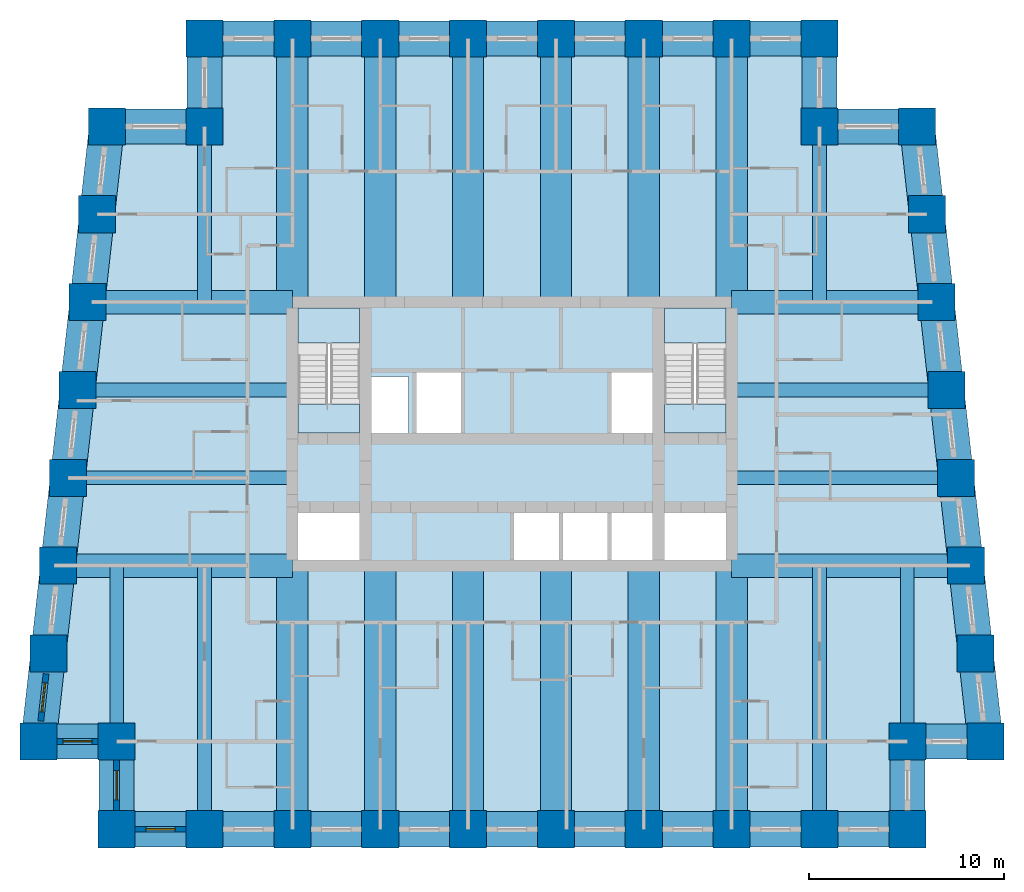
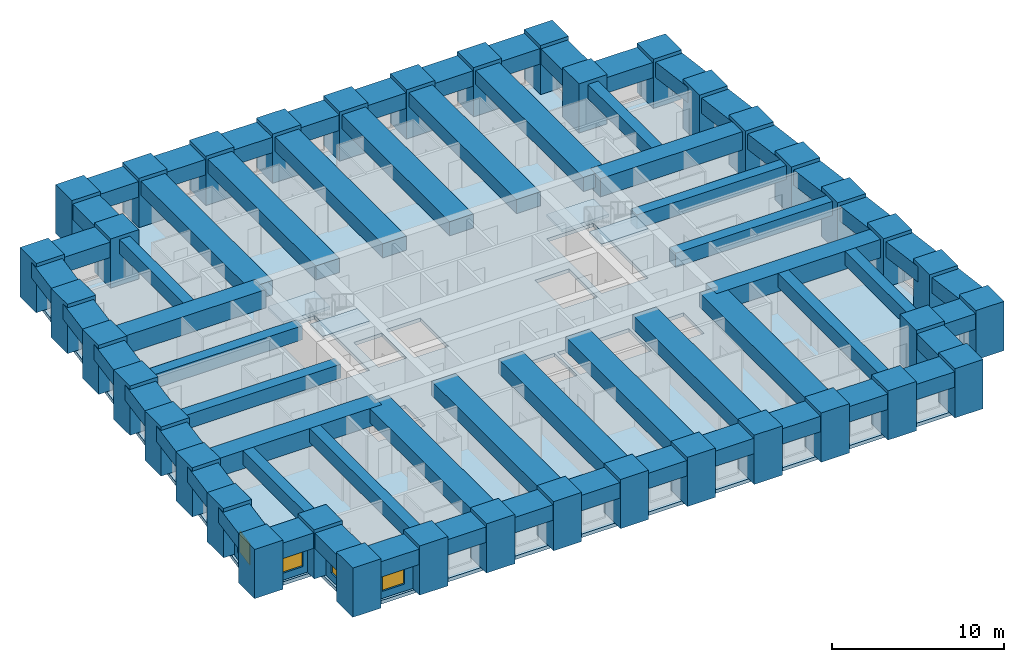
# One storey, part 1 of 8: 64 beams, 38 columns, 5 slabs, 4 walls, 4 windows, 4 openings, 2 elements without a shape of their own.
"""IFC4 building model written with IfcOpenShell, lengths in metres."""

from ifc_helpers import new_model, si_unit, direction, frame, frame_2d, origin, origin_2d, place, context, subcontext, project, spatial, polyline, rectangle, outline, extrude, material, layer, layer_set, material_profile, profile_set, type_object, element, fill, aggregate, save


model = new_model("IFC4")

# Units and contexts
model_context = context("Model", 3, precision=1e-05, world=origin(), true_north=direction((0.0, 1.0)))
body_context = subcontext(model_context, "Body", "Model", "MODEL_VIEW")
ifc_project = project(units=[si_unit("LENGTHUNIT", "METRE"), si_unit("AREAUNIT", "SQUARE_METRE"), si_unit("VOLUMEUNIT", "CUBIC_METRE"), si_unit("PLANEANGLEUNIT", "RADIAN"), si_unit("MASSUNIT", "GRAM", prefix="KILO")], contexts=[model_context])

# Site, building, storey
site_placement = place(None, origin())
site = spatial("IfcSite", under=ifc_project, at=site_placement, CompositionType="ELEMENT")
building_placement = place(site_placement, origin())
building = spatial("IfcBuilding", under=site, at=building_placement, Name="Kilele Tower Hotel", CompositionType="ELEMENT")
storey_placement = place(building_placement, frame((0.0, 0.0, 89.89990234375)))
storey = spatial("IfcBuildingStorey", under=building, at=storey_placement, Name="L22", CompositionType="ELEMENT", Elevation=89.89990234375)

# Columns
ifc_material_1 = material(Name="Concrete C70/85", Category="concrete")
ifc_material_profile_1 = material_profile(ifc_material_1, rectangle(XDim=1.89990234375, YDim=1.89990234375, at=origin_2d()))
ifc_profile_set_1 = profile_set([ifc_material_profile_1], Name="Concrete C70/85")
column_type = type_object("IfcColumnType", Name="Tube column RC 1900x1900 C70/85", PredefinedType="COLUMN", material=ifc_profile_set_1)
for number, where, z_axis, x_axis, name in (
    (1, (0.5, 4.5, 0.0), (0.0, 0.0, 1.0), (1.0, 0.0, 0.0), "Column TC2 L22"),
    (2, (4.5, 4.5, 0.0), (0.0, 0.0, 1.0), (1.0, 0.0, 0.0), "Column TC2 L22"),
    (3, (4.5, 0.0, 0.0), (0.0, 0.0, 1.0), (1.0, 0.0, 0.0), "Column TC2 L22"),
    (4, (9.0, 0.0, 0.0), (0.0, 0.0, 1.0), (1.0, 0.0, 0.0), "Column TC2 L22"),
    (5, (13.5, 0.0, 0.0), (0.0, 0.0, 1.0), (1.0, 0.0, 0.0), "Column TC2 L22"),
    (6, (18.0, 0.0, 0.0), (0.0, 0.0, 1.0), (1.0, 0.0, 0.0), "Column TC2 L22"),
    (7, (22.5, 0.0, 0.0), (0.0, 0.0, 1.0), (1.0, 0.0, 0.0), "Column TC2 L22"),
    (8, (27.0, 0.0, 0.0), (0.0, 0.0, 1.0), (1.0, 0.0, 0.0), "Column TC2 L22"),
    (9, (31.5, 0.0, 0.0), (0.0, 0.0, 1.0), (1.0, 0.0, 0.0), "Column TC2 L22"),
    (10, (36.0, 0.0, 0.0), (0.0, 0.0, 1.0), (1.0, 0.0, 0.0), "Column TC2 L22"),
    (11, (40.5, 0.0, 0.0), (0.0, 0.0, 1.0), (1.0, 0.0, 0.0), "Column TC2 L22"),
    (12, (45.0, 0.0, 0.0), (0.0, 0.0, 1.0), (1.0, 0.0, 0.0), "Column TC2 L22"),
    (13, (45.0, 4.5, 0.0), (0.0, 0.0, 1.0), (1.0, 0.0, 0.0), "Column TC2 L22"),
    (14, (49.0, 4.5, 0.0), (0.0, 0.0, 1.0), (1.0, 0.0, 0.0), "Column TC2 L22"),
    (15, (48.5, 9.0, 0.0), (0.0, 0.0, 1.0), (1.0, 0.0, 0.0), "Column TC2 L22"),
    (16, (48.0, 13.5, 0.0), (0.0, 0.0, 1.0), (1.0, 0.0, 0.0), "Column TC2 L22"),
    (17, (47.5, 18.0, 0.0), (0.0, 0.0, 1.0), (1.0, 0.0, 0.0), "Column TC2 L22"),
    (18, (47.0, 22.5, 0.0), (0.0, 0.0, 1.0), (1.0, 0.0, 0.0), "Column TC2 L22"),
    (19, (46.5, 27.0, 0.0), (0.0, 0.0, 1.0), (1.0, 0.0, 0.0), "Column TC2 L22"),
    (20, (46.0, 31.5, 0.0), (0.0, 0.0, 1.0), (1.0, 0.0, 0.0), "Column TC2 L22"),
    (21, (45.5, 36.0, 0.0), (0.0, 0.0, 1.0), (1.0, 0.0, 0.0), "Column TC2 L22"),
    (22, (40.5, 36.0, 0.0), (0.0, 0.0, 1.0), (1.0, 0.0, 0.0), "Column TC2 L22"),
    (23, (40.5, 40.5, 0.0), (0.0, 0.0, 1.0), (1.0, 0.0, 0.0), "Column TC2 L22"),
    (24, (36.0, 40.5, 0.0), (0.0, 0.0, 1.0), (1.0, 0.0, 0.0), "Column TC2 L22"),
    (25, (31.5, 40.5, 0.0), (0.0, 0.0, 1.0), (1.0, 0.0, 0.0), "Column TC2 L22"),
    (26, (27.0, 40.5, 0.0), (0.0, 0.0, 1.0), (1.0, 0.0, 0.0), "Column TC2 L22"),
    (27, (22.5, 40.5, 0.0), (0.0, 0.0, 1.0), (1.0, 0.0, 0.0), "Column TC2 L22"),
    (28, (18.0, 40.5, 0.0), (0.0, 0.0, 1.0), (1.0, 0.0, 0.0), "Column TC2 L22"),
    (29, (13.5, 40.5, 0.0), (0.0, 0.0, 1.0), (1.0, 0.0, 0.0), "Column TC2 L22"),
    (30, (9.0, 40.5, 0.0), (0.0, 0.0, 1.0), (1.0, 0.0, 0.0), "Column TC2 L22"),
    (31, (9.0, 36.0, 0.0), (0.0, 0.0, 1.0), (1.0, 0.0, 0.0), "Column TC2 L22"),
    (32, (4.0, 36.0, 0.0), (0.0, 0.0, 1.0), (1.0, 0.0, 0.0), "Column TC2 L22"),
    (33, (3.5, 31.5, 0.0), (0.0, 0.0, 1.0), (1.0, 0.0, 0.0), "Column TC2 L22"),
    (34, (3.0, 27.0, 0.0), (0.0, 0.0, 1.0), (1.0, 0.0, 0.0), "Column TC2 L22"),
    (35, (2.5, 22.5, 0.0), (0.0, 0.0, 1.0), (1.0, 0.0, 0.0), "Column TC2 L22"),
    (36, (2.0, 18.0, 0.0), (0.0, 0.0, 1.0), (1.0, 0.0, 0.0), "Column TC2 L22"),
    (37, (1.5, 13.5, 0.0), (0.0, 0.0, 1.0), (1.0, 0.0, 0.0), "Column TC2 L22"),
    (38, (1.0, 9.0, 0.0), (0.0, 0.0, 1.0), (1.0, 0.0, 0.0), "Column TC2 L22"),
):
    element("IfcColumn", number, at=place(storey_placement, frame(where, z_axis=z_axis, x_axis=x_axis)), inside=storey, type_object=column_type, Name=name, PredefinedType="COLUMN", context=body_context, shape_type="SweptSolid", body=[
        extrude(rectangle(XDim=1.89990234375, YDim=1.89990234375, at=origin_2d()), origin(), (0.0, 0.0, 1.0), 3.5),
    ])

# Beams
ifc_material_2 = material(Name="Concrete C60/75", Category="concrete")
ifc_material_profile_2 = material_profile(ifc_material_2, rectangle(XDim=1.60009765625, YDim=1.0, at=origin_2d()))
ifc_profile_set_2 = profile_set([ifc_material_profile_2], Name="Concrete C60/75")
beam_type_1 = type_object("IfcBeamType", Name="Beam RC 1600x1000 C60/75", PredefinedType="BEAM", material=ifc_profile_set_2)
for number, where, z_axis, x_axis, name in (
    (39, (13.5, 0.0, 2.75), (0.0, 1.0, 0.0), (-1.0, 0.0, 0.0), "Beam BC1 level L23"),
    (40, (18.0, 0.0, 2.75), (0.0, 1.0, 0.0), (-1.0, 0.0, 0.0), "Beam BC1 level L23"),
    (41, (22.5, 0.0, 2.75), (0.0, 1.0, 0.0), (-1.0, 0.0, 0.0), "Beam BC1 level L23"),
    (42, (27.0, 0.0, 2.75), (0.0, 1.0, 0.0), (-1.0, 0.0, 0.0), "Beam BC1 level L23"),
    (43, (31.5, 0.0, 2.75), (0.0, 1.0, 0.0), (-1.0, 0.0, 0.0), "Beam BC1 level L23"),
    (44, (36.0, 0.0, 2.75), (0.0, 1.0, 0.0), (-1.0, 0.0, 0.0), "Beam BC1 level L23"),
    (45, (36.0, 40.5, 2.75), (0.0, -1.0, 0.0), (1.0, 0.0, 0.0), "Beam BC1 level L23"),
    (46, (31.5, 40.5, 2.75), (0.0, -1.0, 0.0), (1.0, 0.0, 0.0), "Beam BC1 level L23"),
    (47, (27.0, 40.5, 2.75), (0.0, -1.0, 0.0), (1.0, 0.0, 0.0), "Beam BC1 level L23"),
    (48, (22.5, 40.5, 2.75), (0.0, -1.0, 0.0), (1.0, 0.0, 0.0), "Beam BC1 level L23"),
    (49, (18.0, 40.5, 2.75), (0.0, -1.0, 0.0), (1.0, 0.0, 0.0), "Beam BC1 level L23"),
    (50, (13.5, 40.5, 2.75), (0.0, -1.0, 0.0), (1.0, 0.0, 0.0), "Beam BC1 level L23"),
):
    element("IfcBeam", number, at=place(storey_placement, frame(where, z_axis=z_axis, x_axis=x_axis)), inside=storey, type_object=beam_type_1, Name=name, PredefinedType="BEAM", context=body_context, shape_type="SweptSolid", body=[
        extrude(rectangle(XDim=1.60009765625, YDim=1.0, at=origin_2d()), origin(), (0.0, 0.0, 1.0), 13.5),
    ])
ifc_material_3 = material(Name="Concrete C60/75", Category="concrete")
ifc_material_profile_3 = material_profile(ifc_material_3, rectangle(XDim=0.699951171875, YDim=1.0, at=origin_2d()))
ifc_profile_set_3 = profile_set([ifc_material_profile_3], Name="Concrete C60/75")
beam_type_2 = type_object("IfcBeamType", Name="Beam RC 700x1000 C60/75", PredefinedType="BEAM", material=ifc_profile_set_3)
for number, where, z_axis, x_axis, name in (
    (51, (9.0, 0.0, 2.75), (0.0, 1.0, 0.0), (-1.0, 0.0, 0.0), "Beam B4 level L23"),
    (52, (40.5, 0.0, 2.75), (0.0, 1.0, 0.0), (-1.0, 0.0, 0.0), "Beam B4 level L23"),
):
    element("IfcBeam", number, at=place(storey_placement, frame(where, z_axis=z_axis, x_axis=x_axis)), inside=storey, type_object=beam_type_2, Name=name, PredefinedType="BEAM", context=body_context, shape_type="SweptSolid", body=[
        extrude(rectangle(XDim=0.699951171875, YDim=1.0, at=origin_2d()), origin(), (0.0, 0.0, 1.0), 13.5),
    ])
ifc_material_4 = material(Name="Concrete C60/75", Category="concrete")
ifc_material_profile_4 = material_profile(ifc_material_4, rectangle(XDim=0.699951171875, YDim=1.0, at=origin_2d()))
ifc_profile_set_4 = profile_set([ifc_material_profile_4], Name="Concrete C60/75")
beam_type_3 = type_object("IfcBeamType", Name="Beam RC 700x1000 C60/75 mid span", PredefinedType="BEAM", material=ifc_profile_set_4)
for number, where, z_axis, x_axis, name in (
    (53, (4.5, 4.5, 2.75), (0.0, 1.0, 0.0), (-1.0, 0.0, 0.0), "Beam B5 level L23"),
    (54, (45.0, 4.5, 2.75), (0.0, 1.0, 0.0), (-1.0, 0.0, 0.0), "Beam B5 level L23"),
):
    element("IfcBeam", number, at=place(storey_placement, frame(where, z_axis=z_axis, x_axis=x_axis)), inside=storey, type_object=beam_type_3, Name=name, PredefinedType="BEAM", context=body_context, shape_type="SweptSolid", body=[
        extrude(rectangle(XDim=0.699951171875, YDim=1.0, at=origin_2d()), origin(), (0.0, 0.0, 1.0), 9.0),
    ])
beam_1_placement = place(storey_placement, frame((47.5, 18.0, 2.75), z_axis=(-1.0, 0.0, 0.0), x_axis=(0.0, -1.0, 0.0)))
element("IfcBeam", 55, at=beam_1_placement, inside=storey, type_object=beam_type_3, Name="Beam B5 level L23", PredefinedType="BEAM", context=body_context, shape_type="SweptSolid", body=[
    extrude(rectangle(XDim=0.699951171875, YDim=1.0, at=origin_2d()), origin(), (0.0, 0.0, 1.0), 11.5),
])
beam_2_placement = place(storey_placement, frame((47.0, 22.5, 2.75), z_axis=(-1.0, 0.0, 0.0), x_axis=(0.0, -1.0, 0.0)))
element("IfcBeam", 56, at=beam_2_placement, inside=storey, type_object=beam_type_3, Name="Beam B5 level L23", PredefinedType="BEAM", context=body_context, shape_type="SweptSolid", body=[
    extrude(rectangle(XDim=0.699951171875, YDim=1.0, at=origin_2d()), origin(), (0.0, 0.0, 1.0), 11.0),
])
for number, where, z_axis, x_axis, name in (
    (57, (40.5, 36.0, 2.75), (0.0, -1.0, 0.0), (1.0, 0.0, 0.0), "Beam B5 level L23"),
    (58, (9.0, 36.0, 2.75), (0.0, -1.0, 0.0), (1.0, 0.0, 0.0), "Beam B5 level L23"),
):
    element("IfcBeam", number, at=place(storey_placement, frame(where, z_axis=z_axis, x_axis=x_axis)), inside=storey, type_object=beam_type_3, Name=name, PredefinedType="BEAM", context=body_context, shape_type="SweptSolid", body=[
        extrude(rectangle(XDim=0.699951171875, YDim=1.0, at=origin_2d()), origin(), (0.0, 0.0, 1.0), 9.0),
    ])
beam_3_placement = place(storey_placement, frame((2.5, 22.5, 2.75), z_axis=(1.0, 0.0, 0.0), x_axis=(0.0, 1.0, 0.0)))
element("IfcBeam", 59, at=beam_3_placement, inside=storey, type_object=beam_type_3, Name="Beam B5 level L23", PredefinedType="BEAM", context=body_context, shape_type="SweptSolid", body=[
    extrude(rectangle(XDim=0.699951171875, YDim=1.0, at=origin_2d()), origin(), (0.0, 0.0, 1.0), 11.0),
])
beam_4_placement = place(storey_placement, frame((2.0, 18.0, 2.75), z_axis=(1.0, 0.0, 0.0), x_axis=(0.0, 1.0, 0.0)))
element("IfcBeam", 60, at=beam_4_placement, inside=storey, type_object=beam_type_3, Name="Beam B5 level L23", PredefinedType="BEAM", context=body_context, shape_type="SweptSolid", body=[
    extrude(rectangle(XDim=0.699951171875, YDim=1.0, at=origin_2d()), origin(), (0.0, 0.0, 1.0), 11.5),
])
ifc_material_5 = material(Name="Concrete C60/75", Category="concrete")
ifc_material_profile_5 = material_profile(ifc_material_5, rectangle(XDim=1.199951171875, YDim=1.300048828125, at=origin_2d()))
ifc_profile_set_5 = profile_set([ifc_material_profile_5], Name="Concrete C60/75")
beam_type_4 = type_object("IfcBeamType", Name="Girder RC 1200x1300 C60/75", PredefinedType="BEAM", material=ifc_profile_set_5)
for number, where, z_axis, x_axis, name in (
    (61, (48.0, 13.5, 2.60009765625), (-1.0, 0.0, 0.0), (0.0, -1.0, 0.0), "Girder G1 level L23"),
    (62, (1.5, 13.5, 2.60009765625), (1.0, 0.0, 0.0), (0.0, 1.0, 0.0), "Girder G1 level L23"),
):
    element("IfcBeam", number, at=place(storey_placement, frame(where, z_axis=z_axis, x_axis=x_axis)), inside=storey, type_object=beam_type_4, Name=name, PredefinedType="BEAM", context=body_context, shape_type="SweptSolid", body=[
        extrude(rectangle(XDim=1.199951171875, YDim=1.300048828125, at=origin_2d()), origin(), (0.0, 0.0, 1.0), 12.0),
    ])
ifc_material_6 = material(Name="Concrete C60/75", Category="concrete")
ifc_material_profile_6 = material_profile(ifc_material_6, rectangle(XDim=1.199951171875, YDim=1.300048828125, at=origin_2d()))
ifc_profile_set_6 = profile_set([ifc_material_profile_6], Name="Concrete C60/75")
beam_type_5 = type_object("IfcBeamType", Name="Girder RC 1200x1300 C60/75 mid span", PredefinedType="BEAM", material=ifc_profile_set_6)
for number, where, z_axis, x_axis, name in (
    (63, (46.5, 27.0, 2.60009765625), (-1.0, 0.0, 0.0), (0.0, -1.0, 0.0), "Girder G3 level L23"),
    (64, (3.0, 27.0, 2.60009765625), (1.0, 0.0, 0.0), (0.0, 1.0, 0.0), "Girder G3 level L23"),
):
    element("IfcBeam", number, at=place(storey_placement, frame(where, z_axis=z_axis, x_axis=x_axis)), inside=storey, type_object=beam_type_5, Name=name, PredefinedType="BEAM", context=body_context, shape_type="SweptSolid", body=[
        extrude(rectangle(XDim=1.199951171875, YDim=1.300048828125, at=origin_2d()), origin(), (0.0, 0.0, 1.0), 10.5),
    ])
ifc_material_7 = material(Name="Concrete C60/75", Category="concrete")
ifc_material_profile_7 = material_profile(ifc_material_7, rectangle(XDim=1.800048828125, YDim=1.10009765625, at=origin_2d()))
ifc_profile_set_7 = profile_set([ifc_material_profile_7], Name="Concrete C60/75")
beam_type_6 = type_object("IfcBeamType", Name="Spandrel RC 1800x1100 C60/75", PredefinedType="SPANDREL", material=ifc_profile_set_7)
beam_5_placement = place(storey_placement, frame((0.5, 4.5, 2.7001953125), z_axis=(1.0, 0.0, 0.0), x_axis=(0.0, 1.0, 0.0)))
element("IfcBeam", 65, at=beam_5_placement, inside=storey, type_object=beam_type_6, Name="Spandrel SP4 level L23", PredefinedType="SPANDREL", context=body_context, shape_type="SweptSolid", body=[
    extrude(rectangle(XDim=1.800048828125, YDim=1.10009765625, at=origin_2d()), origin(), (0.0, 0.0, 1.0), 4.0),
])
for number, where, z_axis, x_axis, name in (
    (66, (4.5, 4.5, 2.7001953125), (0.0, -1.0, 0.0), (1.0, 0.0, 0.0), "Spandrel SP4 level L23"),
    (67, (4.5, 0.0, 2.7001953125), (1.0, 0.0, 0.0), (0.0, 1.0, 0.0), "Spandrel SP4 level L23"),
    (68, (9.0, 0.0, 2.7001953125), (1.0, 0.0, 0.0), (0.0, 1.0, 0.0), "Spandrel SP4 level L23"),
    (69, (13.5, 0.0, 2.7001953125), (1.0, 0.0, 0.0), (0.0, 1.0, 0.0), "Spandrel SP4 level L23"),
    (70, (18.0, 0.0, 2.7001953125), (1.0, 0.0, 0.0), (0.0, 1.0, 0.0), "Spandrel SP4 level L23"),
    (71, (22.5, 0.0, 2.7001953125), (1.0, 0.0, 0.0), (0.0, 1.0, 0.0), "Spandrel SP4 level L23"),
    (72, (27.0, 0.0, 2.7001953125), (1.0, 0.0, 0.0), (0.0, 1.0, 0.0), "Spandrel SP4 level L23"),
    (73, (31.5, 0.0, 2.7001953125), (1.0, 0.0, 0.0), (0.0, 1.0, 0.0), "Spandrel SP4 level L23"),
    (74, (36.0, 0.0, 2.7001953125), (1.0, 0.0, 0.0), (0.0, 1.0, 0.0), "Spandrel SP4 level L23"),
    (75, (40.5, 0.0, 2.7001953125), (1.0, 0.0, 0.0), (0.0, 1.0, 0.0), "Spandrel SP4 level L23"),
    (76, (45.0, 0.0, 2.7001953125), (0.0, 1.0, 0.0), (-1.0, 0.0, 0.0), "Spandrel SP4 level L23"),
):
    element("IfcBeam", number, at=place(storey_placement, frame(where, z_axis=z_axis, x_axis=x_axis)), inside=storey, type_object=beam_type_6, Name=name, PredefinedType="SPANDREL", context=body_context, shape_type="SweptSolid", body=[
        extrude(rectangle(XDim=1.800048828125, YDim=1.10009765625, at=origin_2d()), origin(), (0.0, 0.0, 1.0), 4.5),
    ])
beam_6_placement = place(storey_placement, frame((45.0, 4.5, 2.7001953125), z_axis=(1.0, 0.0, 0.0), x_axis=(0.0, 1.0, 0.0)))
element("IfcBeam", 77, at=beam_6_placement, inside=storey, type_object=beam_type_6, Name="Spandrel SP4 level L23", PredefinedType="SPANDREL", context=body_context, shape_type="SweptSolid", body=[
    extrude(rectangle(XDim=1.800048828125, YDim=1.10009765625, at=origin_2d()), origin(), (0.0, 0.0, 1.0), 4.0),
])
for number, where, z_axis, x_axis, name in (
    (78, (49.0, 4.5, 2.7001953125), (-0.110431526075, 0.993883734674, 0.0), (-0.993883734674, -0.110431526075, 0.0), "Spandrel SP4 level L23"),
    (79, (48.5, 9.0, 2.7001953125), (-0.110431526075, 0.993883734674, 0.0), (-0.993883734674, -0.110431526075, 0.0), "Spandrel SP4 level L23"),
    (80, (48.0, 13.5, 2.7001953125), (-0.110431526075, 0.993883734674, 0.0), (-0.993883734674, -0.110431526075, 0.0), "Spandrel SP4 level L23"),
    (81, (47.5, 18.0, 2.7001953125), (-0.110431526075, 0.993883734674, 0.0), (-0.993883734674, -0.110431526075, 0.0), "Spandrel SP4 level L23"),
    (82, (47.0, 22.5, 2.7001953125), (-0.110431526075, 0.993883734674, 0.0), (-0.993883734674, -0.110431526075, 0.0), "Spandrel SP4 level L23"),
    (83, (46.5, 27.0, 2.7001953125), (-0.110431526075, 0.993883734674, 0.0), (-0.993883734674, -0.110431526075, 0.0), "Spandrel SP4 level L23"),
    (84, (46.0, 31.5, 2.7001953125), (-0.110431526075, 0.993883734674, 0.0), (-0.993883734674, -0.110431526075, 0.0), "Spandrel SP4 level L23"),
):
    element("IfcBeam", number, at=place(storey_placement, frame(where, z_axis=z_axis, x_axis=x_axis)), inside=storey, type_object=beam_type_6, Name=name, PredefinedType="SPANDREL", context=body_context, shape_type="SweptSolid", body=[
        extrude(rectangle(XDim=1.800048828125, YDim=1.10009765625, at=origin_2d()), origin(), (0.0, 0.0, 1.0), 4.527587890625),
    ])
beam_7_placement = place(storey_placement, frame((45.5, 36.0, 2.7001953125), z_axis=(-1.0, 0.0, 0.0), x_axis=(0.0, -1.0, 0.0)))
element("IfcBeam", 85, at=beam_7_placement, inside=storey, type_object=beam_type_6, Name="Spandrel SP4 level L23", PredefinedType="SPANDREL", context=body_context, shape_type="SweptSolid", body=[
    extrude(rectangle(XDim=1.800048828125, YDim=1.10009765625, at=origin_2d()), origin(), (0.0, 0.0, 1.0), 5.0),
])
for number, where, z_axis, x_axis, name in (
    (86, (40.5, 36.0, 2.7001953125), (0.0, 1.0, 0.0), (-1.0, 0.0, 0.0), "Spandrel SP4 level L23"),
    (87, (40.5, 40.5, 2.7001953125), (-1.0, 0.0, 0.0), (0.0, -1.0, 0.0), "Spandrel SP4 level L23"),
    (88, (36.0, 40.5, 2.7001953125), (-1.0, 0.0, 0.0), (0.0, -1.0, 0.0), "Spandrel SP4 level L23"),
    (89, (31.5, 40.5, 2.7001953125), (-1.0, 0.0, 0.0), (0.0, -1.0, 0.0), "Spandrel SP4 level L23"),
    (90, (27.0, 40.5, 2.7001953125), (-1.0, 0.0, 0.0), (0.0, -1.0, 0.0), "Spandrel SP4 level L23"),
    (91, (22.5, 40.5, 2.7001953125), (-1.0, 0.0, 0.0), (0.0, -1.0, 0.0), "Spandrel SP4 level L23"),
    (92, (18.0, 40.5, 2.7001953125), (-1.0, 0.0, 0.0), (0.0, -1.0, 0.0), "Spandrel SP4 level L23"),
    (93, (13.5, 40.5, 2.7001953125), (-1.0, 0.0, 0.0), (0.0, -1.0, 0.0), "Spandrel SP4 level L23"),
    (94, (9.0, 40.5, 2.7001953125), (0.0, -1.0, 0.0), (1.0, 0.0, 0.0), "Spandrel SP4 level L23"),
):
    element("IfcBeam", number, at=place(storey_placement, frame(where, z_axis=z_axis, x_axis=x_axis)), inside=storey, type_object=beam_type_6, Name=name, PredefinedType="SPANDREL", context=body_context, shape_type="SweptSolid", body=[
        extrude(rectangle(XDim=1.800048828125, YDim=1.10009765625, at=origin_2d()), origin(), (0.0, 0.0, 1.0), 4.5),
    ])
beam_8_placement = place(storey_placement, frame((9.0, 36.0, 2.7001953125), z_axis=(-1.0, 0.0, 0.0), x_axis=(0.0, -1.0, 0.0)))
element("IfcBeam", 95, at=beam_8_placement, inside=storey, type_object=beam_type_6, Name="Spandrel SP4 level L23", PredefinedType="SPANDREL", context=body_context, shape_type="SweptSolid", body=[
    extrude(rectangle(XDim=1.800048828125, YDim=1.10009765625, at=origin_2d()), origin(), (0.0, 0.0, 1.0), 5.0),
])
for number, where, z_axis, x_axis, name in (
    (96, (4.0, 36.0, 2.7001953125), (-0.110431526075, -0.993883734674, 0.0), (0.993883734674, -0.110431526075, 0.0), "Spandrel SP4 level L23"),
    (97, (3.5, 31.5, 2.7001953125), (-0.110431526075, -0.993883734674, 0.0), (0.993883734674, -0.110431526075, 0.0), "Spandrel SP4 level L23"),
    (98, (3.0, 27.0, 2.7001953125), (-0.110431526075, -0.993883734674, 0.0), (0.993883734674, -0.110431526075, 0.0), "Spandrel SP4 level L23"),
    (99, (2.5, 22.5, 2.7001953125), (-0.110431526075, -0.993883734674, 0.0), (0.993883734674, -0.110431526075, 0.0), "Spandrel SP4 level L23"),
    (100, (2.0, 18.0, 2.7001953125), (-0.110431526075, -0.993883734674, 0.0), (0.993883734674, -0.110431526075, 0.0), "Spandrel SP4 level L23"),
    (101, (1.5, 13.5, 2.7001953125), (-0.110431526075, -0.993883734674, 0.0), (0.993883734674, -0.110431526075, 0.0), "Spandrel SP4 level L23"),
    (102, (1.0, 9.0, 2.7001953125), (-0.110431526075, -0.993883734674, 0.0), (0.993883734674, -0.110431526075, 0.0), "Spandrel SP4 level L23"),
):
    element("IfcBeam", number, at=place(storey_placement, frame(where, z_axis=z_axis, x_axis=x_axis)), inside=storey, type_object=beam_type_6, Name=name, PredefinedType="SPANDREL", context=body_context, shape_type="SweptSolid", body=[
        extrude(rectangle(XDim=1.800048828125, YDim=1.10009765625, at=origin_2d()), origin(), (0.0, 0.0, 1.0), 4.527587890625),
    ])

# Slab
ifc_material_8 = material(Name="Concrete C60/75", Category="concrete")
ifc_layer_1 = layer(ifc_material_8, 0.25)
ifc_layer_set_1 = layer_set([ifc_layer_1], Name="Concrete C60/75")
slab_type_1 = type_object("IfcSlabType", Name="Floor slab 250", PredefinedType="FLOOR", material=ifc_layer_set_1)
slab_1_placement = place(storey_placement, frame((0.0, 0.0, -0.25)))
element("IfcSlab", 103, at=slab_1_placement, inside=storey, type_object=slab_type_1, Name="Floor slab L22", PredefinedType="FLOOR", context=body_context, shape_type="SweptSolid", body=[
    extrude(outline(polyline([(8.699951171875, 36.300048828125), (8.699951171875, 40.800048828125), (40.800048828125, 40.800048828125), (40.800048828125, 36.300048828125), (45.7685546875, 36.300048828125), (49.335205078125, 4.199951171875), (45.300048828125, 4.199951171875), (45.300048828125, -0.300048828125), (4.199951171875, -0.300048828125), (4.199951171875, 4.199951171875), (0.164794921875, 4.199951171875), (3.7314453125, 36.300048828125), (8.699951171875, 36.300048828125)]), holes=[polyline([(16.949951171875, 16.199951171875), (13.800048828125, 16.199951171875), (13.800048828125, 13.800048828125), (16.949951171875, 13.800048828125), (16.949951171875, 16.199951171875)]), polyline([(35.699951171875, 16.199951171875), (32.550048828125, 16.199951171875), (32.550048828125, 13.800048828125), (35.699951171875, 13.800048828125), (35.699951171875, 16.199951171875)]), polyline([(27.14990234375, 16.39990234375), (24.85009765625, 16.39990234375), (24.85009765625, 13.800048828125), (27.14990234375, 13.800048828125), (27.14990234375, 16.39990234375)]), polyline([(29.64990234375, 13.800048828125), (29.64990234375, 16.39990234375), (27.35009765625, 16.39990234375), (27.35009765625, 13.800048828125), (29.64990234375, 13.800048828125)]), polyline([(32.14990234375, 13.800048828125), (32.14990234375, 16.39990234375), (29.85009765625, 16.39990234375), (29.85009765625, 13.800048828125), (32.14990234375, 13.800048828125)]), polyline([(19.449951171875, 23.199951171875), (17.550048828125, 23.199951171875), (17.550048828125, 20.300048828125), (19.449951171875, 20.300048828125), (19.449951171875, 23.199951171875)]), polyline([(22.14990234375, 23.39990234375), (19.85009765625, 23.39990234375), (19.85009765625, 20.10009765625), (22.14990234375, 20.10009765625), (22.14990234375, 23.39990234375)]), polyline([(32.14990234375, 23.39990234375), (29.85009765625, 23.39990234375), (29.85009765625, 20.10009765625), (32.14990234375, 20.10009765625), (32.14990234375, 23.39990234375)]), polyline([(16.949951171875, 20.300048828125), (16.949951171875, 26.699951171875), (13.800048828125, 26.699951171875), (13.800048828125, 20.300048828125), (16.949951171875, 20.300048828125)]), polyline([(35.699951171875, 20.300048828125), (35.699951171875, 26.699951171875), (32.550048828125, 26.699951171875), (32.550048828125, 20.300048828125), (35.699951171875, 20.300048828125)])]), origin(), (0.0, 0.0, 1.0), 0.25),
])

# Stair, slabs
ifc_material_9 = material(Name="Precast concrete C40/50", Category="concrete")
stair_type = type_object("IfcStairType", Name="Stair 1475 x 3500", PredefinedType="HALF_TURN_STAIR", material=ifc_material_9)
stair_1_placement = place(storey_placement, origin())
stair_1 = element("IfcStair", 104, at=stair_1_placement, inside=storey, type_object=stair_type, Name="Stair 1 L22", PredefinedType="HALF_TURN_STAIR")
ifc_material_10 = material(Name="Precast concrete C40/50", Category="concrete")
ifc_layer_2 = layer(ifc_material_10, 0.199951171875)
ifc_layer_set_2 = layer_set([ifc_layer_2], Name="Precast concrete C40/50")
slab_type_2 = type_object("IfcSlabType", Name="Stair landing 200", PredefinedType="LANDING", material=ifc_layer_set_2)
slab_2_placement = place(storey_placement, frame((0.0, 0.0, 1.550048828125)))
slab_2 = element("IfcSlab", 105, at=slab_2_placement, type_object=slab_type_2, Name="ST1 landing 1", PredefinedType="LANDING", context=body_context, shape_type="SweptSolid", body=[
    extrude(outline(polyline([(13.800048828125, 24.89501953125), (16.949951171875, 24.89501953125), (16.949951171875, 26.699951171875), (13.800048828125, 26.699951171875), (13.800048828125, 24.89501953125)])), origin(), (0.0, 0.0, 1.0), 0.199951171875),
])
slab_3_placement = place(storey_placement, frame((0.0, 0.0, 3.300048828125)))
slab_3 = element("IfcSlab", 106, at=slab_3_placement, type_object=slab_type_2, Name="ST1 landing 2", PredefinedType="LANDING", context=body_context, shape_type="SweptSolid", body=[
    extrude(outline(polyline([(13.800048828125, 20.300048828125), (16.949951171875, 20.300048828125), (16.949951171875, 21.77490234375), (13.800048828125, 21.77490234375), (13.800048828125, 20.300048828125)])), origin(), (0.0, 0.0, 1.0), 0.199951171875),
])
aggregate(stair_1, [slab_2, slab_3])

stair_2_placement = place(storey_placement, origin())
stair_2 = element("IfcStair", 107, at=stair_2_placement, inside=storey, type_object=stair_type, Name="Stair 2 L22", PredefinedType="HALF_TURN_STAIR")
slab_4_placement = place(storey_placement, frame((0.0, 0.0, 1.550048828125)))
slab_4 = element("IfcSlab", 108, at=slab_4_placement, type_object=slab_type_2, Name="ST2 landing 1", PredefinedType="LANDING", context=body_context, shape_type="SweptSolid", body=[
    extrude(outline(polyline([(32.550048828125, 24.89501953125), (35.699951171875, 24.89501953125), (35.699951171875, 26.699951171875), (32.550048828125, 26.699951171875), (32.550048828125, 24.89501953125)])), origin(), (0.0, 0.0, 1.0), 0.199951171875),
])
slab_5_placement = place(storey_placement, frame((0.0, 0.0, 3.300048828125)))
slab_5 = element("IfcSlab", 109, at=slab_5_placement, type_object=slab_type_2, Name="ST2 landing 2", PredefinedType="LANDING", context=body_context, shape_type="SweptSolid", body=[
    extrude(outline(polyline([(32.550048828125, 20.300048828125), (35.699951171875, 20.300048828125), (35.699951171875, 21.77490234375), (32.550048828125, 21.77490234375), (32.550048828125, 20.300048828125)])), origin(), (0.0, 0.0, 1.0), 0.199951171875),
])
aggregate(stair_2, [slab_4, slab_5])

# Wall, opening, window
ifc_material_11 = material(Name="Concrete C40/50 precast", Category="concrete")
ifc_layer_3 = layer(ifc_material_11, 0.260009765625, Name="Precast backing", Category="LoadBearing")
ifc_material_12 = material(Name="Reconstituted stone finish", Category="masonry")
ifc_layer_4 = layer(ifc_material_12, 0.0400390625, Name="Face mix", Category="Finish")
ifc_layer_set_3 = layer_set([ifc_layer_3, ifc_layer_4], Name="Precast concrete C40/50, reconstituted stone finish")
wall_type = type_object("IfcWallType", Name="Precast stone facade wall 300", PredefinedType="STANDARD", material=ifc_layer_set_3)
wall_1_placement = place(storey_placement, frame((1.449951171875, 4.5, 0.0), z_axis=(0.0, 0.0, 1.0), x_axis=(1.0, 0.0, 0.0)))
wall_1 = element("IfcWall", 110, at=wall_1_placement, inside=storey, type_object=wall_type, Name="Facade wall L22 edge 1 bay 1", PredefinedType="STANDARD", context=body_context, shape_type="SweptSolid", body=[
    extrude(rectangle(XDim=2.10009765625, YDim=0.300048828125, at=frame_2d((1.050048828125, 0.0))), origin(), (0.0, 0.0, 1.0), 2.150146484375),
])
opening_1_placement = place(wall_1_placement, frame((0.300048828125, 0.0, 0.5)))
opening_1 = element("IfcOpeningElement", 111, at=opening_1_placement, cuts=wall_1, Name="Opening W2", PredefinedType="OPENING", context=body_context, shape_type="SweptSolid", body=[
    extrude(rectangle(XDim=1.5, YDim=1.5, at=frame_2d((0.75, 0.75))), frame((0.0, 0.159912109375, 0.0), z_axis=(0.0, -1.0, 0.0), x_axis=(1.0, 0.0, 0.0)), (0.0, 0.0, 1.0), 0.320068359375),
])
ifc_material_13 = material(Name="Aluminium frame, clear double glazing", Category="aluminium")
window_type = type_object("IfcWindowType", Name="Window W2 1500 x 1500", PartitioningType="SINGLE_PANEL", PredefinedType="WINDOW", material=ifc_material_13)
window_1_placement = place(opening_1_placement, origin())
window_1 = element("IfcWindow", 112, at=window_1_placement, inside=storey, type_object=window_type, Name="Window L22", OverallHeight=1.5, OverallWidth=1.5, PartitioningType="SINGLE_PANEL", PredefinedType="WINDOW", context=body_context, shape_type="SweptSolid", body=[
    extrude(rectangle(XDim=1.5, YDim=1.5, at=frame_2d((0.75, 0.75))), frame((0.0, 0.030029296875, 0.0), z_axis=(0.0, -1.0, 0.0), x_axis=(1.0, 0.0, 0.0)), (0.0, 0.0, 1.0), 0.06005859375),
])
fill(opening_1, window_1)

wall_2_placement = place(storey_placement, frame((4.5, 3.550048828125, 0.0), z_axis=(0.0, 0.0, 1.0), x_axis=(0.0, -1.0, 0.0)))
wall_2 = element("IfcWall", 113, at=wall_2_placement, inside=storey, type_object=wall_type, Name="Facade wall L22 edge 2 bay 1", PredefinedType="STANDARD", context=body_context, shape_type="SweptSolid", body=[
    extrude(rectangle(XDim=2.60009765625, YDim=0.300048828125, at=frame_2d((1.300048828125, 0.0))), origin(), (0.0, 0.0, 1.0), 2.150146484375),
])
opening_2_placement = place(wall_2_placement, frame((0.550048828125, 0.0, 0.5)))
opening_2 = element("IfcOpeningElement", 114, at=opening_2_placement, cuts=wall_2, Name="Opening W2", PredefinedType="OPENING", context=body_context, shape_type="SweptSolid", body=[
    extrude(rectangle(XDim=1.5, YDim=1.5, at=frame_2d((0.75, 0.75))), frame((0.0, 0.159912109375, 0.0), z_axis=(0.0, -1.0, 0.0), x_axis=(1.0, 0.0, 0.0)), (0.0, 0.0, 1.0), 0.320068359375),
])
window_2_placement = place(opening_2_placement, origin())
window_2 = element("IfcWindow", 115, at=window_2_placement, inside=storey, type_object=window_type, Name="Window L22", OverallHeight=1.5, OverallWidth=1.5, PartitioningType="SINGLE_PANEL", PredefinedType="WINDOW", context=body_context, shape_type="SweptSolid", body=[
    extrude(rectangle(XDim=1.5, YDim=1.5, at=frame_2d((0.75, 0.75))), frame((0.0, 0.030029296875, 0.0), z_axis=(0.0, -1.0, 0.0), x_axis=(1.0, 0.0, 0.0)), (0.0, 0.0, 1.0), 0.06005859375),
])
fill(opening_2, window_2)

wall_3_placement = place(storey_placement, frame((5.449951171875, 0.0, 0.0), z_axis=(0.0, 0.0, 1.0), x_axis=(1.0, 0.0, 0.0)))
wall_3 = element("IfcWall", 116, at=wall_3_placement, inside=storey, type_object=wall_type, Name="Facade wall L22 edge 3 bay 1", PredefinedType="STANDARD", context=body_context, shape_type="SweptSolid", body=[
    extrude(rectangle(XDim=2.60009765625, YDim=0.300048828125, at=frame_2d((1.300048828125, 0.0))), origin(), (0.0, 0.0, 1.0), 2.150146484375),
])
opening_3_placement = place(wall_3_placement, frame((0.550048828125, 0.0, 0.5)))
opening_3 = element("IfcOpeningElement", 117, at=opening_3_placement, cuts=wall_3, Name="Opening W2", PredefinedType="OPENING", context=body_context, shape_type="SweptSolid", body=[
    extrude(rectangle(XDim=1.5, YDim=1.5, at=frame_2d((0.75, 0.75))), frame((0.0, 0.159912109375, 0.0), z_axis=(0.0, -1.0, 0.0), x_axis=(1.0, 0.0, 0.0)), (0.0, 0.0, 1.0), 0.320068359375),
])
window_3_placement = place(opening_3_placement, origin())
window_3 = element("IfcWindow", 118, at=window_3_placement, inside=storey, type_object=window_type, Name="Window L22", OverallHeight=1.5, OverallWidth=1.5, PartitioningType="SINGLE_PANEL", PredefinedType="WINDOW", context=body_context, shape_type="SweptSolid", body=[
    extrude(rectangle(XDim=1.5, YDim=1.5, at=frame_2d((0.75, 0.75))), frame((0.0, 0.030029296875, 0.0), z_axis=(0.0, -1.0, 0.0), x_axis=(1.0, 0.0, 0.0)), (0.0, 0.0, 1.0), 0.06005859375),
])
fill(opening_3, window_3)

wall_4_placement = place(storey_placement, frame((0.884033203125, 7.957275390625, 0.0), z_axis=(0.0, 0.0, 1.0), x_axis=(-0.110343286306, -0.993893535127, 0.0)))
wall_4 = element("IfcWall", 119, at=wall_4_placement, inside=storey, type_object=wall_type, Name="Facade wall L22 edge 12 bay 7", PredefinedType="STANDARD", context=body_context, shape_type="SweptSolid", body=[
    extrude(rectangle(XDim=2.429443359375, YDim=0.300048828125, at=frame_2d((1.21484375, 0.0))), origin(), (0.0, 0.0, 1.0), 2.150146484375),
])
opening_4_placement = place(wall_4_placement, frame((0.464599609375, 0.0, 0.5)))
opening_4 = element("IfcOpeningElement", 120, at=opening_4_placement, cuts=wall_4, Name="Opening W2", PredefinedType="OPENING", context=body_context, shape_type="SweptSolid", body=[
    extrude(rectangle(XDim=1.5, YDim=1.5, at=frame_2d((0.75, 0.75))), frame((0.0, 0.159912109375, 0.0), z_axis=(0.0, -1.0, 0.0), x_axis=(1.0, 0.0, 0.0)), (0.0, 0.0, 1.0), 0.320068359375),
])
window_4_placement = place(opening_4_placement, origin())
window_4 = element("IfcWindow", 121, at=window_4_placement, inside=storey, type_object=window_type, Name="Window L22", OverallHeight=1.5, OverallWidth=1.5, PartitioningType="SINGLE_PANEL", PredefinedType="WINDOW", context=body_context, shape_type="SweptSolid", body=[
    extrude(rectangle(XDim=1.5, YDim=1.5, at=frame_2d((0.75, 0.75))), frame((0.0, 0.030029296875, 0.0), z_axis=(0.0, -1.0, 0.0), x_axis=(1.0, 0.0, 0.0)), (0.0, 0.0, 1.0), 0.06005859375),
])
fill(opening_4, window_4)

save(model, "model.ifc")
